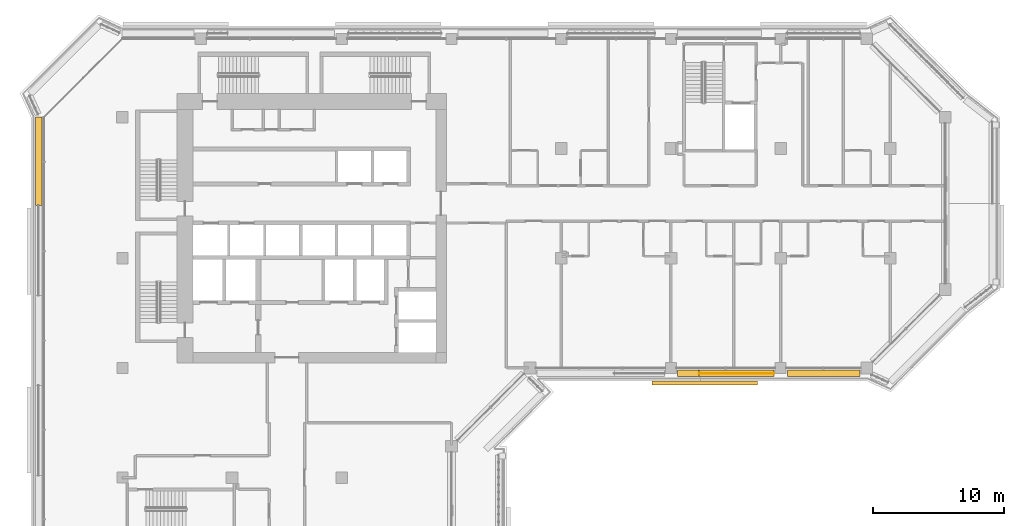
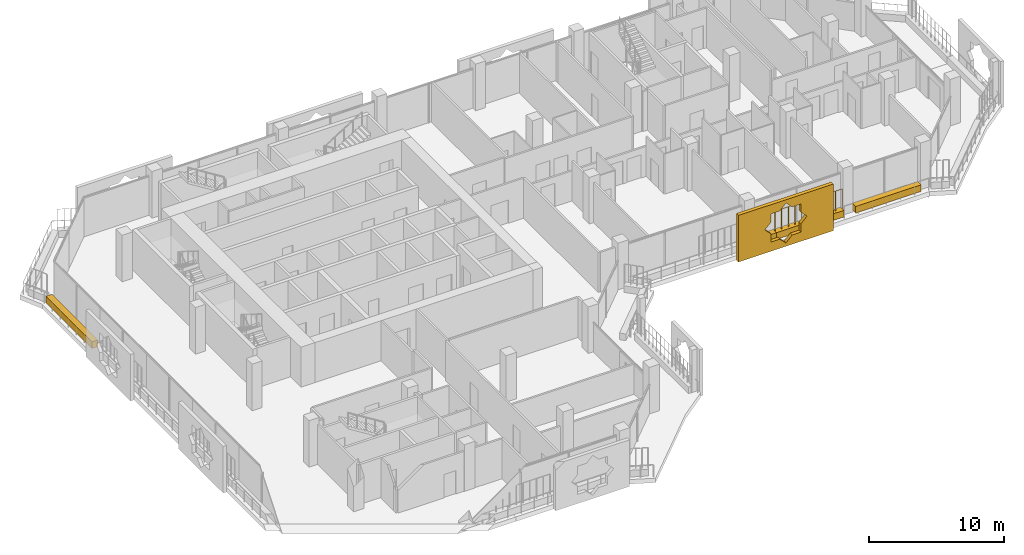
# One storey, part 20 of 23: 5 coverings, 1 railing.
"""IFC4 building model written with IfcOpenShell, lengths in metres."""

from ifc_helpers import new_model, si_unit, direction, frame, origin, origin_2d, place, context, subcontext, project, spatial, polyline, rectangle, circle, outline, extrude, material, material_profile, profile_set, type_object, element, save


model = new_model("IFC4")

# Units and contexts
model_context = context("Model", 3, precision=1e-05, world=origin(), true_north=direction((0.0, 1.0)))
body_context = subcontext(model_context, "Body", "Model", "MODEL_VIEW")
ifc_project = project(units=[si_unit("LENGTHUNIT", "METRE"), si_unit("AREAUNIT", "SQUARE_METRE"), si_unit("VOLUMEUNIT", "CUBIC_METRE"), si_unit("PLANEANGLEUNIT", "RADIAN"), si_unit("MASSUNIT", "GRAM", prefix="KILO")], contexts=[model_context])

# Site, building, storey
site_placement = place(None, origin())
site = spatial("IfcSite", under=ifc_project, at=site_placement, CompositionType="ELEMENT")
building_placement = place(site_placement, origin())
building = spatial("IfcBuilding", under=site, at=building_placement, Name="Kawkab Arch Medical Tower", CompositionType="ELEMENT")
storey_placement = place(building_placement, frame((0.0, 0.0, 247.39990234375)))
storey = spatial("IfcBuildingStorey", under=building, at=storey_placement, Name="L57", CompositionType="ELEMENT", Elevation=247.39990234375)

# Coverings
ifc_material_1 = material(Name="Bronze anodised aluminium mashrabiya panel, eight-point star pattern", Category="aluminium")
ifc_material_profile_1 = material_profile(ifc_material_1, outline(polyline([(-4.050048828125, -2.10009765625), (4.050048828125, -2.10009765625), (4.050048828125, 2.10009765625), (-4.050048828125, 2.10009765625), (-4.050048828125, -2.10009765625)]), holes=[polyline([(1.800048828125, 0.0), (1.272705078125, 0.527099609375), (1.272705078125, 1.272705078125), (0.527099609375, 1.272705078125), (0.0, 1.800048828125), (-0.527099609375, 1.272705078125), (-1.272705078125, 1.272705078125), (-1.272705078125, 0.527099609375), (-1.800048828125, 0.0), (-1.272705078125, -0.527099609375), (-1.272705078125, -1.272705078125), (-0.527099609375, -1.272705078125), (0.0, -1.800048828125), (0.527099609375, -1.272705078125), (1.272705078125, -1.272705078125), (1.272705078125, -0.527099609375), (1.800048828125, 0.0)])]), Name="Mashrabiya panel 8100x4200")
ifc_profile_set_1 = profile_set([ifc_material_profile_1], Name="Bronze anodised aluminium mashrabiya panel, eight-point star pattern")
covering_type_1 = type_object("IfcCoveringType", Name="Mashrabiya panel 8100 x 4200", PredefinedType="USERDEFINED", material=ifc_profile_set_1)
covering_1_placement = place(storey_placement, frame((44.59228515625, -26.199951171875, 1.7001953125), z_axis=(0.0, -1.0, 0.0), x_axis=(1.0, 0.0, 0.0)))
element("IfcCovering", 1, at=covering_1_placement, inside=storey, type_object=covering_type_1, Name="Mashrabiya panel L57.LOG-01-01.10", ObjectType="SCREEN", PredefinedType="USERDEFINED", context=body_context, shape_type="SweptSolid", body=[
    extrude(outline(polyline([(-4.050048828125, -2.10009765625), (4.050048828125, -2.10009765625), (4.050048828125, 2.10009765625), (-4.050048828125, 2.10009765625), (-4.050048828125, -2.10009765625)]), holes=[polyline([(1.800048828125, 0.0), (1.272705078125, 0.527099609375), (1.272705078125, 1.272705078125), (0.527099609375, 1.272705078125), (0.0, 1.800048828125), (-0.527099609375, 1.272705078125), (-1.272705078125, 1.272705078125), (-1.272705078125, 0.527099609375), (-1.800048828125, 0.0), (-1.272705078125, -0.527099609375), (-1.272705078125, -1.272705078125), (-0.527099609375, -1.272705078125), (0.0, -1.800048828125), (0.527099609375, -1.272705078125), (1.272705078125, -1.272705078125), (1.272705078125, -0.527099609375), (1.800048828125, 0.0)])]), origin(), (0.0, 0.0, 1.0), 0.300048828125),
])
ifc_material_2 = material(Name="Planting soil in a precast trough", Category="concrete")
ifc_material_profile_2 = material_profile(ifc_material_2, rectangle(XDim=0.5, YDim=0.60009765625, at=origin_2d()), Name="Trough 500x600")
ifc_profile_set_2 = profile_set([ifc_material_profile_2], Name="Planting soil in a precast trough")
covering_type_2 = type_object("IfcCoveringType", Name="Planter trough 500 x 600", PredefinedType="USERDEFINED", material=ifc_profile_set_2)
covering_2_placement = place(storey_placement, frame((-6.419921875, -12.763916015625, 0.300048828125), z_axis=(0.0, 1.0, 0.0), x_axis=(-1.0, 0.0, 0.0)))
element("IfcCovering", 2, at=covering_2_placement, inside=storey, type_object=covering_type_2, Name="Planter L57.LOG-01-01.12", ObjectType="PLANTER", PredefinedType="USERDEFINED", context=body_context, shape_type="SweptSolid", body=[
    extrude(rectangle(XDim=0.5, YDim=0.60009765625, at=origin_2d()), origin(), (0.0, 0.0, 1.0), 6.789794921875),
])
covering_3_placement = place(storey_placement, frame((56.469970703125, -25.6201171875, 0.300048828125), z_axis=(-1.0, 0.0, 0.0), x_axis=(0.0, -1.0, 0.0)))
element("IfcCovering", 3, at=covering_3_placement, inside=storey, type_object=covering_type_2, Name="Planter L57.LOG-01-01.32", ObjectType="PLANTER", PredefinedType="USERDEFINED", context=body_context, shape_type="SweptSolid", body=[
    extrude(rectangle(XDim=0.5, YDim=0.60009765625, at=origin_2d()), origin(), (0.0, 0.0, 1.0), 5.56494140625),
])
covering_4_placement = place(storey_placement, frame((49.89501953125, -25.6201171875, 0.300048828125), z_axis=(-1.0, 0.0, 0.0), x_axis=(0.0, -1.0, 0.0)))
element("IfcCovering", 4, at=covering_4_placement, inside=storey, type_object=covering_type_2, Name="Planter L57.LOG-01-01.33", ObjectType="PLANTER", PredefinedType="USERDEFINED", context=body_context, shape_type="SweptSolid", body=[
    extrude(rectangle(XDim=0.5, YDim=0.60009765625, at=origin_2d()), origin(), (0.0, 0.0, 1.0), 5.739990234375),
])
covering_5_placement = place(storey_placement, frame((44.155029296875, -25.6201171875, 0.300048828125), z_axis=(-1.0, 0.0, 0.0), x_axis=(0.0, -1.0, 0.0)))
element("IfcCovering", 5, at=covering_5_placement, inside=storey, type_object=covering_type_2, Name="Planter L57.LOG-01-01.34", ObjectType="PLANTER", PredefinedType="USERDEFINED", context=body_context, shape_type="SweptSolid", body=[
    extrude(rectangle(XDim=0.5, YDim=0.60009765625, at=origin_2d()), origin(), (0.0, 0.0, 1.0), 1.650146484375),
])

# Railing
ifc_material_3 = material(Name="Bronze anodised aluminium trellis for climbing plants", Category="aluminium")
railing_type = type_object("IfcRailingType", Name="Planting trellis 2400", PredefinedType="USERDEFINED", material=ifc_material_3)
railing_placement = place(storey_placement, frame((49.89501953125, -25.6201171875, 0.0)))
element("IfcRailing", 6, at=railing_placement, inside=storey, type_object=railing_type, Name="Planting trellis L57.LOG-01-01.33", ObjectType="TRELLIS", PredefinedType="USERDEFINED", context=body_context, shape_type="SweptSolid", body=[
    extrude(circle(Radius=0.01513671875, at=origin_2d()), frame((0.0, 0.0, 2.384765625), z_axis=(-1.0, 0.0, 0.0), x_axis=(0.0, -1.0, 0.0)), (0.0, 0.0, 1.0), 5.739990234375),
    extrude(circle(Radius=0.030029296875, at=origin_2d()), origin(), (0.0, 0.0, 1.0), 2.369873046875),
    extrude(circle(Radius=0.030029296875, at=origin_2d()), frame((-0.573974609375, 0.0, 0.0)), (0.0, 0.0, 1.0), 2.369873046875),
    extrude(circle(Radius=0.030029296875, at=origin_2d()), frame((-1.14794921875, 0.0, 0.0)), (0.0, 0.0, 1.0), 2.369873046875),
    extrude(circle(Radius=0.030029296875, at=origin_2d()), frame((-1.721923828125, 0.0, 0.0)), (0.0, 0.0, 1.0), 2.369873046875),
    extrude(circle(Radius=0.030029296875, at=origin_2d()), frame((-2.2958984375, 0.0, 0.0)), (0.0, 0.0, 1.0), 2.369873046875),
    extrude(circle(Radius=0.030029296875, at=origin_2d()), frame((-2.8701171875, 0.0, 0.0)), (0.0, 0.0, 1.0), 2.369873046875),
    extrude(circle(Radius=0.030029296875, at=origin_2d()), frame((-3.444091796875, 0.0, 0.0)), (0.0, 0.0, 1.0), 2.369873046875),
    extrude(circle(Radius=0.030029296875, at=origin_2d()), frame((-4.01806640625, 0.0, 0.0)), (0.0, 0.0, 1.0), 2.369873046875),
    extrude(circle(Radius=0.030029296875, at=origin_2d()), frame((-4.592041015625, 0.0, 0.0)), (0.0, 0.0, 1.0), 2.369873046875),
    extrude(circle(Radius=0.030029296875, at=origin_2d()), frame((-5.166015625, 0.0, 0.0)), (0.0, 0.0, 1.0), 2.369873046875),
    extrude(circle(Radius=0.030029296875, at=origin_2d()), frame((-5.739990234375, 0.0, 0.0)), (0.0, 0.0, 1.0), 2.369873046875),
])

save(model, "model.ifc")
